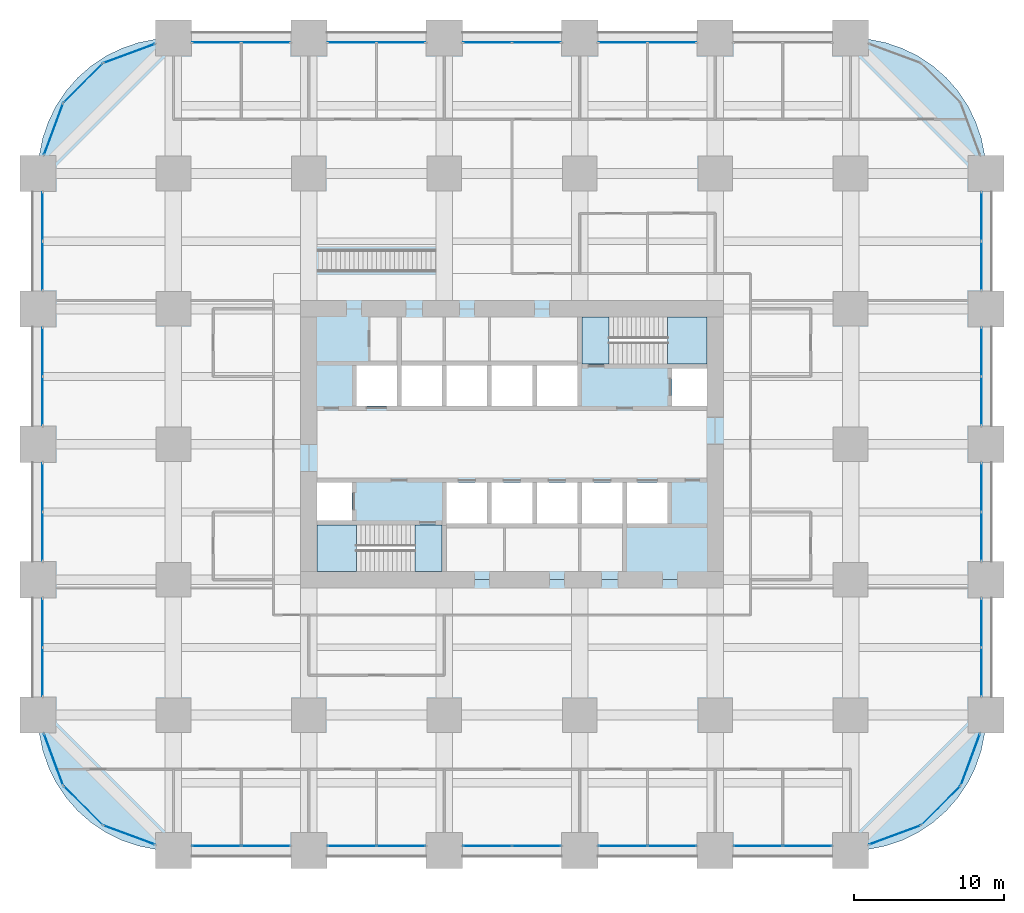
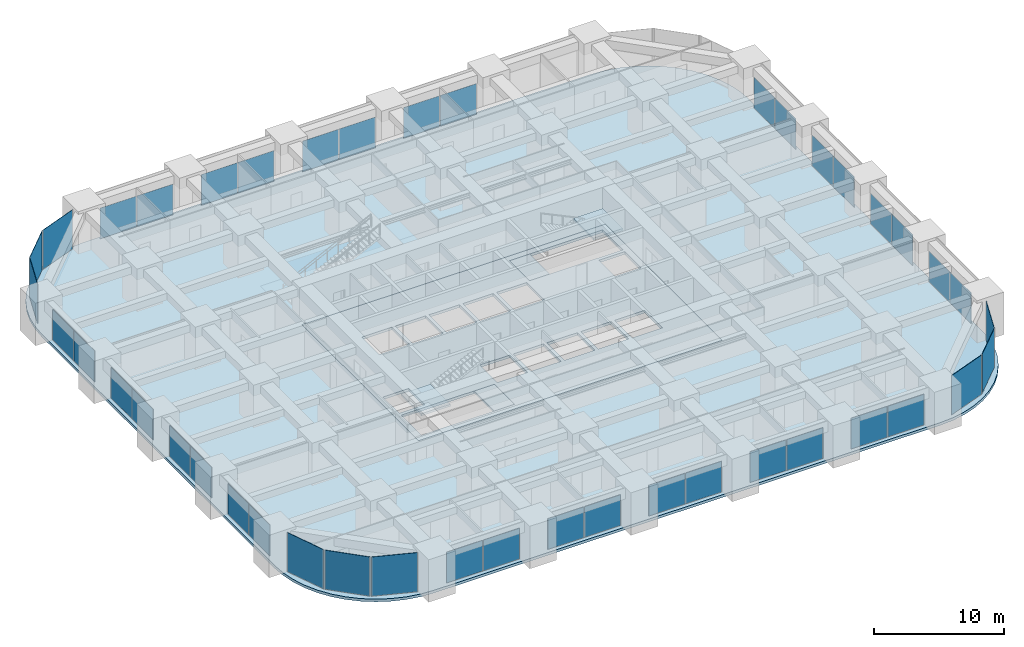
# One storey, part 38 of 45: 43 plates, 6 slabs, 28 elements without a shape of their own.
"""IFC4 building model written with IfcOpenShell, lengths in metres."""

from ifc_helpers import new_model, si_unit, direction, frame, origin, origin_2d, place, context, subcontext, project, spatial, polyline, rectangle, outline, extrude, material, layer, layer_set, type_object, element, aggregate, save


model = new_model("IFC4")

# Units and contexts
model_context = context("Model", 3, precision=1e-05, world=origin(), true_north=direction((0.0, 1.0)))
body_context = subcontext(model_context, "Body", "Model", "MODEL_VIEW")
ifc_project = project(units=[si_unit("LENGTHUNIT", "METRE"), si_unit("AREAUNIT", "SQUARE_METRE"), si_unit("VOLUMEUNIT", "CUBIC_METRE"), si_unit("PLANEANGLEUNIT", "RADIAN"), si_unit("MASSUNIT", "GRAM", prefix="KILO")], contexts=[model_context])

# Site, building, storey
site_placement = place(None, origin())
site = spatial("IfcSite", under=ifc_project, at=site_placement, CompositionType="ELEMENT")
building_placement = place(site_placement, origin())
building = spatial("IfcBuilding", under=site, at=building_placement, Name="Zorevar Civic Tower", CompositionType="ELEMENT")
storey_placement = place(building_placement, frame((0.0, 0.0, 39.800048828125)))
storey = spatial("IfcBuildingStorey", under=building, at=storey_placement, Name="L09", CompositionType="ELEMENT", Elevation=39.800048828125)

# Curtain wall, plates
ifc_material_1 = material(Name="Dark grey solar-control glass in black aluminium frame", Category="aluminium")
curtain_wall_type = type_object("IfcCurtainWallType", Name="Curtain wall CW2 low zone", PredefinedType="NOTDEFINED", material=ifc_material_1)
curtain_wall_1_placement = place(storey_placement, origin())
curtain_wall_1 = element("IfcCurtainWall", 1, at=curtain_wall_1_placement, inside=storey, type_object=curtain_wall_type, Name="CW2 L09", PredefinedType="NOTDEFINED")
ifc_material_2 = material(Name="Dark grey solar-control glass", Category="glass")
ifc_layer_1 = layer(ifc_material_2, 0.031982421875)
ifc_layer_set_1 = layer_set([ifc_layer_1], Name="CW2 panel 32")
plate_type = type_object("IfcPlateType", Name="CW2 panel 32", PredefinedType="CURTAIN_PANEL", material=ifc_layer_set_1)
plate_1_placement = place(storey_placement, frame((11.864990234375, 0.300048828125, 0.06005859375), z_axis=(0.0, 0.0, 1.0), x_axis=(1.0, 0.0, 0.0)))
plate_1 = element("IfcPlate", 2, at=plate_1_placement, type_object=plate_type, Name="CW2 panel 1.1", PredefinedType="CURTAIN_PANEL", context=body_context, shape_type="SweptSolid", body=[
    extrude(rectangle(XDim=3.2099609375, YDim=0.031982421875, at=origin_2d()), origin(), (0.0, 0.0, 1.0), 2.889892578125),
])
plate_2_placement = place(storey_placement, frame((15.135009765625, 0.300048828125, 0.06005859375), z_axis=(0.0, 0.0, 1.0), x_axis=(1.0, 0.0, 0.0)))
plate_2 = element("IfcPlate", 3, at=plate_2_placement, type_object=plate_type, Name="CW2 panel 2.1", PredefinedType="CURTAIN_PANEL", context=body_context, shape_type="SweptSolid", body=[
    extrude(rectangle(XDim=3.2099609375, YDim=0.031982421875, at=origin_2d()), origin(), (0.0, 0.0, 1.0), 2.889892578125),
])
aggregate(curtain_wall_1, [plate_1, plate_2])

curtain_wall_2_placement = place(storey_placement, origin())
curtain_wall_2 = element("IfcCurtainWall", 4, at=curtain_wall_2_placement, inside=storey, type_object=curtain_wall_type, Name="CW2 L09", PredefinedType="NOTDEFINED")
plate_3_placement = place(storey_placement, frame((11.864990234375, 53.699951171875, 0.06005859375), z_axis=(0.0, 0.0, 1.0), x_axis=(1.0, 0.0, 0.0)))
plate_3 = element("IfcPlate", 5, at=plate_3_placement, type_object=plate_type, Name="CW2 panel 1.1", PredefinedType="CURTAIN_PANEL", context=body_context, shape_type="SweptSolid", body=[
    extrude(rectangle(XDim=3.2099609375, YDim=0.031982421875, at=origin_2d()), origin(), (0.0, 0.0, 1.0), 2.889892578125),
])
plate_4_placement = place(storey_placement, frame((15.135009765625, 53.699951171875, 0.06005859375), z_axis=(0.0, 0.0, 1.0), x_axis=(1.0, 0.0, 0.0)))
plate_4 = element("IfcPlate", 6, at=plate_4_placement, type_object=plate_type, Name="CW2 panel 2.1", PredefinedType="CURTAIN_PANEL", context=body_context, shape_type="SweptSolid", body=[
    extrude(rectangle(XDim=3.2099609375, YDim=0.031982421875, at=origin_2d()), origin(), (0.0, 0.0, 1.0), 2.889892578125),
])
aggregate(curtain_wall_2, [plate_3, plate_4])

curtain_wall_3_placement = place(storey_placement, origin())
curtain_wall_3 = element("IfcCurtainWall", 7, at=curtain_wall_3_placement, inside=storey, type_object=curtain_wall_type, Name="CW2 L09", PredefinedType="NOTDEFINED")
plate_5_placement = place(storey_placement, frame((20.864990234375, 0.300048828125, 0.06005859375), z_axis=(0.0, 0.0, 1.0), x_axis=(1.0, 0.0, 0.0)))
plate_5 = element("IfcPlate", 8, at=plate_5_placement, type_object=plate_type, Name="CW2 panel 1.1", PredefinedType="CURTAIN_PANEL", context=body_context, shape_type="SweptSolid", body=[
    extrude(rectangle(XDim=3.2099609375, YDim=0.031982421875, at=origin_2d()), origin(), (0.0, 0.0, 1.0), 2.889892578125),
])
plate_6_placement = place(storey_placement, frame((24.135009765625, 0.300048828125, 0.06005859375), z_axis=(0.0, 0.0, 1.0), x_axis=(1.0, 0.0, 0.0)))
plate_6 = element("IfcPlate", 9, at=plate_6_placement, type_object=plate_type, Name="CW2 panel 2.1", PredefinedType="CURTAIN_PANEL", context=body_context, shape_type="SweptSolid", body=[
    extrude(rectangle(XDim=3.2099609375, YDim=0.031982421875, at=origin_2d()), origin(), (0.0, 0.0, 1.0), 2.889892578125),
])
aggregate(curtain_wall_3, [plate_5, plate_6])

curtain_wall_4_placement = place(storey_placement, origin())
curtain_wall_4 = element("IfcCurtainWall", 10, at=curtain_wall_4_placement, inside=storey, type_object=curtain_wall_type, Name="CW2 L09", PredefinedType="NOTDEFINED")
plate_7_placement = place(storey_placement, frame((20.864990234375, 53.699951171875, 0.06005859375), z_axis=(0.0, 0.0, 1.0), x_axis=(1.0, 0.0, 0.0)))
plate_7 = element("IfcPlate", 11, at=plate_7_placement, type_object=plate_type, Name="CW2 panel 1.1", PredefinedType="CURTAIN_PANEL", context=body_context, shape_type="SweptSolid", body=[
    extrude(rectangle(XDim=3.2099609375, YDim=0.031982421875, at=origin_2d()), origin(), (0.0, 0.0, 1.0), 2.889892578125),
])
plate_8_placement = place(storey_placement, frame((24.135009765625, 53.699951171875, 0.06005859375), z_axis=(0.0, 0.0, 1.0), x_axis=(1.0, 0.0, 0.0)))
plate_8 = element("IfcPlate", 12, at=plate_8_placement, type_object=plate_type, Name="CW2 panel 2.1", PredefinedType="CURTAIN_PANEL", context=body_context, shape_type="SweptSolid", body=[
    extrude(rectangle(XDim=3.2099609375, YDim=0.031982421875, at=origin_2d()), origin(), (0.0, 0.0, 1.0), 2.889892578125),
])
aggregate(curtain_wall_4, [plate_7, plate_8])

curtain_wall_5_placement = place(storey_placement, origin())
curtain_wall_5 = element("IfcCurtainWall", 13, at=curtain_wall_5_placement, inside=storey, type_object=curtain_wall_type, Name="CW2 L09", PredefinedType="NOTDEFINED")
plate_9_placement = place(storey_placement, frame((29.864990234375, 0.300048828125, 0.06005859375), z_axis=(0.0, 0.0, 1.0), x_axis=(1.0, 0.0, 0.0)))
plate_9 = element("IfcPlate", 14, at=plate_9_placement, type_object=plate_type, Name="CW2 panel 1.1", PredefinedType="CURTAIN_PANEL", context=body_context, shape_type="SweptSolid", body=[
    extrude(rectangle(XDim=3.2099609375, YDim=0.031982421875, at=origin_2d()), origin(), (0.0, 0.0, 1.0), 2.889892578125),
])
plate_10_placement = place(storey_placement, frame((33.135009765625, 0.300048828125, 0.06005859375), z_axis=(0.0, 0.0, 1.0), x_axis=(1.0, 0.0, 0.0)))
plate_10 = element("IfcPlate", 15, at=plate_10_placement, type_object=plate_type, Name="CW2 panel 2.1", PredefinedType="CURTAIN_PANEL", context=body_context, shape_type="SweptSolid", body=[
    extrude(rectangle(XDim=3.2099609375, YDim=0.031982421875, at=origin_2d()), origin(), (0.0, 0.0, 1.0), 2.889892578125),
])
aggregate(curtain_wall_5, [plate_9, plate_10])

curtain_wall_6_placement = place(storey_placement, origin())
curtain_wall_6 = element("IfcCurtainWall", 16, at=curtain_wall_6_placement, inside=storey, type_object=curtain_wall_type, Name="CW2 L09", PredefinedType="NOTDEFINED")
plate_11_placement = place(storey_placement, frame((29.864990234375, 53.699951171875, 0.06005859375), z_axis=(0.0, 0.0, 1.0), x_axis=(1.0, 0.0, 0.0)))
plate_11 = element("IfcPlate", 17, at=plate_11_placement, type_object=plate_type, Name="CW2 panel 1.1", PredefinedType="CURTAIN_PANEL", context=body_context, shape_type="SweptSolid", body=[
    extrude(rectangle(XDim=3.2099609375, YDim=0.031982421875, at=origin_2d()), origin(), (0.0, 0.0, 1.0), 2.889892578125),
])
plate_12_placement = place(storey_placement, frame((33.135009765625, 53.699951171875, 0.06005859375), z_axis=(0.0, 0.0, 1.0), x_axis=(1.0, 0.0, 0.0)))
plate_12 = element("IfcPlate", 18, at=plate_12_placement, type_object=plate_type, Name="CW2 panel 2.1", PredefinedType="CURTAIN_PANEL", context=body_context, shape_type="SweptSolid", body=[
    extrude(rectangle(XDim=3.2099609375, YDim=0.031982421875, at=origin_2d()), origin(), (0.0, 0.0, 1.0), 2.889892578125),
])
aggregate(curtain_wall_6, [plate_11, plate_12])

curtain_wall_7_placement = place(storey_placement, origin())
curtain_wall_7 = element("IfcCurtainWall", 19, at=curtain_wall_7_placement, inside=storey, type_object=curtain_wall_type, Name="CW2 L09", PredefinedType="NOTDEFINED")
plate_13_placement = place(storey_placement, frame((38.864990234375, 0.300048828125, 0.06005859375), z_axis=(0.0, 0.0, 1.0), x_axis=(1.0, 0.0, 0.0)))
plate_13 = element("IfcPlate", 20, at=plate_13_placement, type_object=plate_type, Name="CW2 panel 1.1", PredefinedType="CURTAIN_PANEL", context=body_context, shape_type="SweptSolid", body=[
    extrude(rectangle(XDim=3.2099609375, YDim=0.031982421875, at=origin_2d()), origin(), (0.0, 0.0, 1.0), 2.889892578125),
])
plate_14_placement = place(storey_placement, frame((42.135009765625, 0.300048828125, 0.06005859375), z_axis=(0.0, 0.0, 1.0), x_axis=(1.0, 0.0, 0.0)))
plate_14 = element("IfcPlate", 21, at=plate_14_placement, type_object=plate_type, Name="CW2 panel 2.1", PredefinedType="CURTAIN_PANEL", context=body_context, shape_type="SweptSolid", body=[
    extrude(rectangle(XDim=3.2099609375, YDim=0.031982421875, at=origin_2d()), origin(), (0.0, 0.0, 1.0), 2.889892578125),
])
aggregate(curtain_wall_7, [plate_13, plate_14])

curtain_wall_8_placement = place(storey_placement, origin())
curtain_wall_8 = element("IfcCurtainWall", 22, at=curtain_wall_8_placement, inside=storey, type_object=curtain_wall_type, Name="CW2 L09", PredefinedType="NOTDEFINED")
plate_15_placement = place(storey_placement, frame((38.864990234375, 53.699951171875, 0.06005859375), z_axis=(0.0, 0.0, 1.0), x_axis=(1.0, 0.0, 0.0)))
plate_15 = element("IfcPlate", 23, at=plate_15_placement, type_object=plate_type, Name="CW2 panel 1.1", PredefinedType="CURTAIN_PANEL", context=body_context, shape_type="SweptSolid", body=[
    extrude(rectangle(XDim=3.2099609375, YDim=0.031982421875, at=origin_2d()), origin(), (0.0, 0.0, 1.0), 2.889892578125),
])
plate_16_placement = place(storey_placement, frame((42.135009765625, 53.699951171875, 0.06005859375), z_axis=(0.0, 0.0, 1.0), x_axis=(1.0, 0.0, 0.0)))
plate_16 = element("IfcPlate", 24, at=plate_16_placement, type_object=plate_type, Name="CW2 panel 2.1", PredefinedType="CURTAIN_PANEL", context=body_context, shape_type="SweptSolid", body=[
    extrude(rectangle(XDim=3.2099609375, YDim=0.031982421875, at=origin_2d()), origin(), (0.0, 0.0, 1.0), 2.889892578125),
])
aggregate(curtain_wall_8, [plate_15, plate_16])

curtain_wall_9_placement = place(storey_placement, origin())
curtain_wall_9 = element("IfcCurtainWall", 25, at=curtain_wall_9_placement, inside=storey, type_object=curtain_wall_type, Name="CW2 L09", PredefinedType="NOTDEFINED")
plate_17_placement = place(storey_placement, frame((47.864990234375, 0.300048828125, 0.06005859375), z_axis=(0.0, 0.0, 1.0), x_axis=(1.0, 0.0, 0.0)))
plate_17 = element("IfcPlate", 26, at=plate_17_placement, type_object=plate_type, Name="CW2 panel 1.1", PredefinedType="CURTAIN_PANEL", context=body_context, shape_type="SweptSolid", body=[
    extrude(rectangle(XDim=3.2099609375, YDim=0.031982421875, at=origin_2d()), origin(), (0.0, 0.0, 1.0), 2.889892578125),
])
plate_18_placement = place(storey_placement, frame((51.135009765625, 0.300048828125, 0.06005859375), z_axis=(0.0, 0.0, 1.0), x_axis=(1.0, 0.0, 0.0)))
plate_18 = element("IfcPlate", 27, at=plate_18_placement, type_object=plate_type, Name="CW2 panel 2.1", PredefinedType="CURTAIN_PANEL", context=body_context, shape_type="SweptSolid", body=[
    extrude(rectangle(XDim=3.2099609375, YDim=0.031982421875, at=origin_2d()), origin(), (0.0, 0.0, 1.0), 2.889892578125),
])
aggregate(curtain_wall_9, [plate_17, plate_18])

curtain_wall_10_placement = place(storey_placement, origin())
curtain_wall_10 = element("IfcCurtainWall", 28, at=curtain_wall_10_placement, inside=storey, type_object=curtain_wall_type, Name="CW2 L09", PredefinedType="NOTDEFINED")
plate_19_placement = place(storey_placement, frame((0.300048828125, 11.864990234375, 0.06005859375), z_axis=(0.0, 0.0, 1.0), x_axis=(0.0, 1.0, 0.0)))
plate_19 = element("IfcPlate", 29, at=plate_19_placement, type_object=plate_type, Name="CW2 panel 1.1", PredefinedType="CURTAIN_PANEL", context=body_context, shape_type="SweptSolid", body=[
    extrude(rectangle(XDim=3.2099609375, YDim=0.031982421875, at=origin_2d()), origin(), (0.0, 0.0, 1.0), 2.889892578125),
])
plate_20_placement = place(storey_placement, frame((0.300048828125, 15.135009765625, 0.06005859375), z_axis=(0.0, 0.0, 1.0), x_axis=(0.0, 1.0, 0.0)))
plate_20 = element("IfcPlate", 30, at=plate_20_placement, type_object=plate_type, Name="CW2 panel 2.1", PredefinedType="CURTAIN_PANEL", context=body_context, shape_type="SweptSolid", body=[
    extrude(rectangle(XDim=3.2099609375, YDim=0.031982421875, at=origin_2d()), origin(), (0.0, 0.0, 1.0), 2.889892578125),
])
aggregate(curtain_wall_10, [plate_19, plate_20])

curtain_wall_11_placement = place(storey_placement, origin())
curtain_wall_11 = element("IfcCurtainWall", 31, at=curtain_wall_11_placement, inside=storey, type_object=curtain_wall_type, Name="CW2 L09", PredefinedType="NOTDEFINED")
plate_21_placement = place(storey_placement, frame((62.699951171875, 11.864990234375, 0.06005859375), z_axis=(0.0, 0.0, 1.0), x_axis=(0.0, 1.0, 0.0)))
plate_21 = element("IfcPlate", 32, at=plate_21_placement, type_object=plate_type, Name="CW2 panel 1.1", PredefinedType="CURTAIN_PANEL", context=body_context, shape_type="SweptSolid", body=[
    extrude(rectangle(XDim=3.2099609375, YDim=0.031982421875, at=origin_2d()), origin(), (0.0, 0.0, 1.0), 2.889892578125),
])
plate_22_placement = place(storey_placement, frame((62.699951171875, 15.135009765625, 0.06005859375), z_axis=(0.0, 0.0, 1.0), x_axis=(0.0, 1.0, 0.0)))
plate_22 = element("IfcPlate", 33, at=plate_22_placement, type_object=plate_type, Name="CW2 panel 2.1", PredefinedType="CURTAIN_PANEL", context=body_context, shape_type="SweptSolid", body=[
    extrude(rectangle(XDim=3.2099609375, YDim=0.031982421875, at=origin_2d()), origin(), (0.0, 0.0, 1.0), 2.889892578125),
])
aggregate(curtain_wall_11, [plate_21, plate_22])

curtain_wall_12_placement = place(storey_placement, origin())
curtain_wall_12 = element("IfcCurtainWall", 34, at=curtain_wall_12_placement, inside=storey, type_object=curtain_wall_type, Name="CW2 L09", PredefinedType="NOTDEFINED")
plate_23_placement = place(storey_placement, frame((0.300048828125, 20.864990234375, 0.06005859375), z_axis=(0.0, 0.0, 1.0), x_axis=(0.0, 1.0, 0.0)))
plate_23 = element("IfcPlate", 35, at=plate_23_placement, type_object=plate_type, Name="CW2 panel 1.1", PredefinedType="CURTAIN_PANEL", context=body_context, shape_type="SweptSolid", body=[
    extrude(rectangle(XDim=3.2099609375, YDim=0.031982421875, at=origin_2d()), origin(), (0.0, 0.0, 1.0), 2.889892578125),
])
plate_24_placement = place(storey_placement, frame((0.300048828125, 24.135009765625, 0.06005859375), z_axis=(0.0, 0.0, 1.0), x_axis=(0.0, 1.0, 0.0)))
plate_24 = element("IfcPlate", 36, at=plate_24_placement, type_object=plate_type, Name="CW2 panel 2.1", PredefinedType="CURTAIN_PANEL", context=body_context, shape_type="SweptSolid", body=[
    extrude(rectangle(XDim=3.2099609375, YDim=0.031982421875, at=origin_2d()), origin(), (0.0, 0.0, 1.0), 2.889892578125),
])
aggregate(curtain_wall_12, [plate_23, plate_24])

curtain_wall_13_placement = place(storey_placement, origin())
curtain_wall_13 = element("IfcCurtainWall", 37, at=curtain_wall_13_placement, inside=storey, type_object=curtain_wall_type, Name="CW2 L09", PredefinedType="NOTDEFINED")
plate_25_placement = place(storey_placement, frame((62.699951171875, 20.864990234375, 0.06005859375), z_axis=(0.0, 0.0, 1.0), x_axis=(0.0, 1.0, 0.0)))
plate_25 = element("IfcPlate", 38, at=plate_25_placement, type_object=plate_type, Name="CW2 panel 1.1", PredefinedType="CURTAIN_PANEL", context=body_context, shape_type="SweptSolid", body=[
    extrude(rectangle(XDim=3.2099609375, YDim=0.031982421875, at=origin_2d()), origin(), (0.0, 0.0, 1.0), 2.889892578125),
])
plate_26_placement = place(storey_placement, frame((62.699951171875, 24.135009765625, 0.06005859375), z_axis=(0.0, 0.0, 1.0), x_axis=(0.0, 1.0, 0.0)))
plate_26 = element("IfcPlate", 39, at=plate_26_placement, type_object=plate_type, Name="CW2 panel 2.1", PredefinedType="CURTAIN_PANEL", context=body_context, shape_type="SweptSolid", body=[
    extrude(rectangle(XDim=3.2099609375, YDim=0.031982421875, at=origin_2d()), origin(), (0.0, 0.0, 1.0), 2.889892578125),
])
aggregate(curtain_wall_13, [plate_25, plate_26])

curtain_wall_14_placement = place(storey_placement, origin())
curtain_wall_14 = element("IfcCurtainWall", 40, at=curtain_wall_14_placement, inside=storey, type_object=curtain_wall_type, Name="CW2 L09", PredefinedType="NOTDEFINED")
plate_27_placement = place(storey_placement, frame((0.300048828125, 29.864990234375, 0.06005859375), z_axis=(0.0, 0.0, 1.0), x_axis=(0.0, 1.0, 0.0)))
plate_27 = element("IfcPlate", 41, at=plate_27_placement, type_object=plate_type, Name="CW2 panel 1.1", PredefinedType="CURTAIN_PANEL", context=body_context, shape_type="SweptSolid", body=[
    extrude(rectangle(XDim=3.2099609375, YDim=0.031982421875, at=origin_2d()), origin(), (0.0, 0.0, 1.0), 2.889892578125),
])
plate_28_placement = place(storey_placement, frame((0.300048828125, 33.135009765625, 0.06005859375), z_axis=(0.0, 0.0, 1.0), x_axis=(0.0, 1.0, 0.0)))
plate_28 = element("IfcPlate", 42, at=plate_28_placement, type_object=plate_type, Name="CW2 panel 2.1", PredefinedType="CURTAIN_PANEL", context=body_context, shape_type="SweptSolid", body=[
    extrude(rectangle(XDim=3.2099609375, YDim=0.031982421875, at=origin_2d()), origin(), (0.0, 0.0, 1.0), 2.889892578125),
])
aggregate(curtain_wall_14, [plate_27, plate_28])

curtain_wall_15_placement = place(storey_placement, origin())
curtain_wall_15 = element("IfcCurtainWall", 43, at=curtain_wall_15_placement, inside=storey, type_object=curtain_wall_type, Name="CW2 L09", PredefinedType="NOTDEFINED")
plate_29_placement = place(storey_placement, frame((62.699951171875, 29.864990234375, 0.06005859375), z_axis=(0.0, 0.0, 1.0), x_axis=(0.0, 1.0, 0.0)))
plate_29 = element("IfcPlate", 44, at=plate_29_placement, type_object=plate_type, Name="CW2 panel 1.1", PredefinedType="CURTAIN_PANEL", context=body_context, shape_type="SweptSolid", body=[
    extrude(rectangle(XDim=3.2099609375, YDim=0.031982421875, at=origin_2d()), origin(), (0.0, 0.0, 1.0), 2.889892578125),
])
plate_30_placement = place(storey_placement, frame((62.699951171875, 33.135009765625, 0.06005859375), z_axis=(0.0, 0.0, 1.0), x_axis=(0.0, 1.0, 0.0)))
plate_30 = element("IfcPlate", 45, at=plate_30_placement, type_object=plate_type, Name="CW2 panel 2.1", PredefinedType="CURTAIN_PANEL", context=body_context, shape_type="SweptSolid", body=[
    extrude(rectangle(XDim=3.2099609375, YDim=0.031982421875, at=origin_2d()), origin(), (0.0, 0.0, 1.0), 2.889892578125),
])
aggregate(curtain_wall_15, [plate_29, plate_30])

curtain_wall_16_placement = place(storey_placement, origin())
curtain_wall_16 = element("IfcCurtainWall", 46, at=curtain_wall_16_placement, inside=storey, type_object=curtain_wall_type, Name="CW2 L09", PredefinedType="NOTDEFINED")
plate_31_placement = place(storey_placement, frame((0.300048828125, 38.864990234375, 0.06005859375), z_axis=(0.0, 0.0, 1.0), x_axis=(0.0, 1.0, 0.0)))
plate_31 = element("IfcPlate", 47, at=plate_31_placement, type_object=plate_type, Name="CW2 panel 1.1", PredefinedType="CURTAIN_PANEL", context=body_context, shape_type="SweptSolid", body=[
    extrude(rectangle(XDim=3.2099609375, YDim=0.031982421875, at=origin_2d()), origin(), (0.0, 0.0, 1.0), 2.889892578125),
])
plate_32_placement = place(storey_placement, frame((0.300048828125, 42.135009765625, 0.06005859375), z_axis=(0.0, 0.0, 1.0), x_axis=(0.0, 1.0, 0.0)))
plate_32 = element("IfcPlate", 48, at=plate_32_placement, type_object=plate_type, Name="CW2 panel 2.1", PredefinedType="CURTAIN_PANEL", context=body_context, shape_type="SweptSolid", body=[
    extrude(rectangle(XDim=3.2099609375, YDim=0.031982421875, at=origin_2d()), origin(), (0.0, 0.0, 1.0), 2.889892578125),
])
aggregate(curtain_wall_16, [plate_31, plate_32])

curtain_wall_17_placement = place(storey_placement, origin())
curtain_wall_17 = element("IfcCurtainWall", 49, at=curtain_wall_17_placement, inside=storey, type_object=curtain_wall_type, Name="CW2 L09", PredefinedType="NOTDEFINED")
plate_33_placement = place(storey_placement, frame((62.699951171875, 38.864990234375, 0.06005859375), z_axis=(0.0, 0.0, 1.0), x_axis=(0.0, 1.0, 0.0)))
plate_33 = element("IfcPlate", 50, at=plate_33_placement, type_object=plate_type, Name="CW2 panel 1.1", PredefinedType="CURTAIN_PANEL", context=body_context, shape_type="SweptSolid", body=[
    extrude(rectangle(XDim=3.2099609375, YDim=0.031982421875, at=origin_2d()), origin(), (0.0, 0.0, 1.0), 2.889892578125),
])
plate_34_placement = place(storey_placement, frame((62.699951171875, 42.135009765625, 0.06005859375), z_axis=(0.0, 0.0, 1.0), x_axis=(0.0, 1.0, 0.0)))
plate_34 = element("IfcPlate", 51, at=plate_34_placement, type_object=plate_type, Name="CW2 panel 2.1", PredefinedType="CURTAIN_PANEL", context=body_context, shape_type="SweptSolid", body=[
    extrude(rectangle(XDim=3.2099609375, YDim=0.031982421875, at=origin_2d()), origin(), (0.0, 0.0, 1.0), 2.889892578125),
])
aggregate(curtain_wall_17, [plate_33, plate_34])

# Curtain wall, plate
curtain_wall_18_placement = place(storey_placement, origin())
curtain_wall_18 = element("IfcCurtainWall", 52, at=curtain_wall_18_placement, inside=storey, type_object=curtain_wall_type, Name="CW2 L09", PredefinedType="NOTDEFINED")
plate_35_placement = place(storey_placement, frame((56.9462890625, 1.02880859375, 0.06005859375), z_axis=(0.0, 0.0, 1.0), x_axis=(0.937974588163, 0.346704012033, 0.0)))
plate_35 = element("IfcPlate", 53, at=plate_35_placement, type_object=plate_type, Name="CW2 panel 1.1", PredefinedType="CURTAIN_PANEL", context=body_context, shape_type="SweptSolid", body=[
    extrude(rectangle(XDim=3.603759765625, YDim=0.031982421875, at=origin_2d()), origin(), (0.0, 0.0, 1.0), 3.68994140625),
])
aggregate(curtain_wall_18, [plate_35])

curtain_wall_19_placement = place(storey_placement, origin())
curtain_wall_19 = element("IfcCurtainWall", 54, at=curtain_wall_19_placement, inside=storey, type_object=curtain_wall_type, Name="CW2 L09", PredefinedType="NOTDEFINED")
plate_36_placement = place(storey_placement, frame((60.00927734375, 2.99072265625, 0.06005859375), z_axis=(0.0, 0.0, 1.0), x_axis=(0.707106781187, 0.707106781187, 0.0)))
plate_36 = element("IfcPlate", 55, at=plate_36_placement, type_object=plate_type, Name="CW2 panel 1.1", PredefinedType="CURTAIN_PANEL", context=body_context, shape_type="SweptSolid", body=[
    extrude(rectangle(XDim=3.603759765625, YDim=0.031982421875, at=origin_2d()), origin(), (0.0, 0.0, 1.0), 3.68994140625),
])
aggregate(curtain_wall_19, [plate_36])

curtain_wall_20_placement = place(storey_placement, origin())
curtain_wall_20 = element("IfcCurtainWall", 56, at=curtain_wall_20_placement, inside=storey, type_object=curtain_wall_type, Name="CW2 L09", PredefinedType="NOTDEFINED")
plate_37_placement = place(storey_placement, frame((61.97119140625, 6.0537109375, 0.06005859375), z_axis=(0.0, 0.0, 1.0), x_axis=(0.346704012033, 0.937974588163, 0.0)))
plate_37 = element("IfcPlate", 57, at=plate_37_placement, type_object=plate_type, Name="CW2 panel 1.1", PredefinedType="CURTAIN_PANEL", context=body_context, shape_type="SweptSolid", body=[
    extrude(rectangle(XDim=3.603759765625, YDim=0.031982421875, at=origin_2d()), origin(), (0.0, 0.0, 1.0), 3.68994140625),
])
aggregate(curtain_wall_20, [plate_37])

curtain_wall_21_placement = place(storey_placement, origin())
curtain_wall_21 = element("IfcCurtainWall", 58, at=curtain_wall_21_placement, inside=storey, type_object=curtain_wall_type, Name="CW2 L09", PredefinedType="NOTDEFINED")
plate_38_placement = place(storey_placement, frame((6.0537109375, 52.97119140625, 0.06005859375), z_axis=(0.0, 0.0, 1.0), x_axis=(-0.937974588163, -0.346704012033, 0.0)))
plate_38 = element("IfcPlate", 59, at=plate_38_placement, type_object=plate_type, Name="CW2 panel 1.1", PredefinedType="CURTAIN_PANEL", context=body_context, shape_type="SweptSolid", body=[
    extrude(rectangle(XDim=3.603759765625, YDim=0.031982421875, at=origin_2d()), origin(), (0.0, 0.0, 1.0), 3.68994140625),
])
aggregate(curtain_wall_21, [plate_38])

curtain_wall_22_placement = place(storey_placement, origin())
curtain_wall_22 = element("IfcCurtainWall", 60, at=curtain_wall_22_placement, inside=storey, type_object=curtain_wall_type, Name="CW2 L09", PredefinedType="NOTDEFINED")
plate_39_placement = place(storey_placement, frame((2.99072265625, 51.00927734375, 0.06005859375), z_axis=(0.0, 0.0, 1.0), x_axis=(-0.707106781187, -0.707106781187, 0.0)))
plate_39 = element("IfcPlate", 61, at=plate_39_placement, type_object=plate_type, Name="CW2 panel 1.1", PredefinedType="CURTAIN_PANEL", context=body_context, shape_type="SweptSolid", body=[
    extrude(rectangle(XDim=3.603759765625, YDim=0.031982421875, at=origin_2d()), origin(), (0.0, 0.0, 1.0), 3.68994140625),
])
aggregate(curtain_wall_22, [plate_39])

curtain_wall_23_placement = place(storey_placement, origin())
curtain_wall_23 = element("IfcCurtainWall", 62, at=curtain_wall_23_placement, inside=storey, type_object=curtain_wall_type, Name="CW2 L09", PredefinedType="NOTDEFINED")
plate_40_placement = place(storey_placement, frame((1.02880859375, 47.9462890625, 0.06005859375), z_axis=(0.0, 0.0, 1.0), x_axis=(-0.346704012033, -0.937974588163, 0.0)))
plate_40 = element("IfcPlate", 63, at=plate_40_placement, type_object=plate_type, Name="CW2 panel 1.1", PredefinedType="CURTAIN_PANEL", context=body_context, shape_type="SweptSolid", body=[
    extrude(rectangle(XDim=3.603759765625, YDim=0.031982421875, at=origin_2d()), origin(), (0.0, 0.0, 1.0), 3.68994140625),
])
aggregate(curtain_wall_23, [plate_40])

curtain_wall_24_placement = place(storey_placement, origin())
curtain_wall_24 = element("IfcCurtainWall", 64, at=curtain_wall_24_placement, inside=storey, type_object=curtain_wall_type, Name="CW2 L09", PredefinedType="NOTDEFINED")
plate_41_placement = place(storey_placement, frame((1.02880859375, 6.0537109375, 0.06005859375), z_axis=(0.0, 0.0, 1.0), x_axis=(0.346704012033, -0.937974588163, 0.0)))
plate_41 = element("IfcPlate", 65, at=plate_41_placement, type_object=plate_type, Name="CW2 panel 1.1", PredefinedType="CURTAIN_PANEL", context=body_context, shape_type="SweptSolid", body=[
    extrude(rectangle(XDim=3.603759765625, YDim=0.031982421875, at=origin_2d()), origin(), (0.0, 0.0, 1.0), 3.68994140625),
])
aggregate(curtain_wall_24, [plate_41])

curtain_wall_25_placement = place(storey_placement, origin())
curtain_wall_25 = element("IfcCurtainWall", 66, at=curtain_wall_25_placement, inside=storey, type_object=curtain_wall_type, Name="CW2 L09", PredefinedType="NOTDEFINED")
plate_42_placement = place(storey_placement, frame((2.99072265625, 2.99072265625, 0.06005859375), z_axis=(0.0, 0.0, 1.0), x_axis=(0.707106781187, -0.707106781187, 0.0)))
plate_42 = element("IfcPlate", 67, at=plate_42_placement, type_object=plate_type, Name="CW2 panel 1.1", PredefinedType="CURTAIN_PANEL", context=body_context, shape_type="SweptSolid", body=[
    extrude(rectangle(XDim=3.603759765625, YDim=0.031982421875, at=origin_2d()), origin(), (0.0, 0.0, 1.0), 3.68994140625),
])
aggregate(curtain_wall_25, [plate_42])

curtain_wall_26_placement = place(storey_placement, origin())
curtain_wall_26 = element("IfcCurtainWall", 68, at=curtain_wall_26_placement, inside=storey, type_object=curtain_wall_type, Name="CW2 L09", PredefinedType="NOTDEFINED")
plate_43_placement = place(storey_placement, frame((6.0537109375, 1.02880859375, 0.06005859375), z_axis=(0.0, 0.0, 1.0), x_axis=(0.937974588163, -0.346704012033, 0.0)))
plate_43 = element("IfcPlate", 69, at=plate_43_placement, type_object=plate_type, Name="CW2 panel 1.1", PredefinedType="CURTAIN_PANEL", context=body_context, shape_type="SweptSolid", body=[
    extrude(rectangle(XDim=3.603759765625, YDim=0.031982421875, at=origin_2d()), origin(), (0.0, 0.0, 1.0), 3.68994140625),
])
aggregate(curtain_wall_26, [plate_43])

# Slabs
ifc_material_3 = material(Name="Concrete C40/50", Category="concrete")
ifc_layer_2 = layer(ifc_material_3, 0.25)
ifc_layer_set_2 = layer_set([ifc_layer_2], Name="Floor slab 250")
slab_type_1 = type_object("IfcSlabType", Name="Floor slab 250", PredefinedType="FLOOR", material=ifc_layer_set_2)
slab_1_placement = place(storey_placement, frame((0.0, 0.0, -0.25)))
element("IfcSlab", 70, at=slab_1_placement, inside=storey, type_object=slab_type_1, Name="Floor slab L09", PredefinedType="FLOOR", context=body_context, shape_type="SweptSolid", body=[
    extrude(outline(polyline([(54.0, 0.0), (55.1748046875, 0.076904296875), (56.329345703125, 0.306640625), (57.444091796875, 0.68505859375), (58.5, 1.205810546875), (59.478759765625, 1.85986328125), (60.364013671875, 2.635986328125), (61.14013671875, 3.521240234375), (61.794189453125, 4.5), (62.31494140625, 5.555908203125), (62.693359375, 6.670654296875), (62.923095703125, 7.8251953125), (63.0, 9.0), (63.0, 45.0), (62.923095703125, 46.1748046875), (62.693359375, 47.329345703125), (62.31494140625, 48.444091796875), (61.794189453125, 49.5), (61.14013671875, 50.478759765625), (60.364013671875, 51.364013671875), (59.478759765625, 52.14013671875), (58.5, 52.794189453125), (57.444091796875, 53.31494140625), (56.329345703125, 53.693359375), (55.1748046875, 53.923095703125), (54.0, 54.0), (9.0, 54.0), (7.8251953125, 53.923095703125), (6.670654296875, 53.693359375), (5.555908203125, 53.31494140625), (4.5, 52.794189453125), (3.521240234375, 52.14013671875), (2.635986328125, 51.364013671875), (1.85986328125, 50.478759765625), (1.205810546875, 49.5), (0.68505859375, 48.444091796875), (0.306640625, 47.329345703125), (0.076904296875, 46.1748046875), (0.0, 45.0), (0.0, 9.0), (0.076904296875, 7.8251953125), (0.306640625, 6.670654296875), (0.68505859375, 5.555908203125), (1.205810546875, 4.5), (1.85986328125, 3.521240234375), (2.635986328125, 2.635986328125), (3.521240234375, 1.85986328125), (4.5, 1.205810546875), (5.555908203125, 0.68505859375), (6.670654296875, 0.306640625), (7.8251953125, 0.076904296875), (9.0, 0.0), (54.0, 0.0)]), holes=[polyline([(18.0, 18.0), (45.0, 18.0), (45.0, 36.0), (18.0, 36.0), (18.0, 18.0)])]), origin(), (0.0, 0.0, 1.0), 0.25),
])
slab_2_placement = place(storey_placement, frame((0.0, 0.0, -0.25)))
element("IfcSlab", 71, at=slab_2_placement, inside=storey, type_object=slab_type_1, Name="Core floor L09", PredefinedType="FLOOR", context=body_context, shape_type="SweptSolid", body=[
    extrude(outline(polyline([(18.0, 18.0), (45.0, 18.0), (45.0, 36.0), (18.0, 36.0), (18.0, 18.0)]), holes=[polyline([(18.550048828125, 18.550048828125), (26.85009765625, 18.550048828125), (26.85009765625, 21.64990234375), (18.550048828125, 21.64990234375), (18.550048828125, 18.550048828125)]), polyline([(36.14990234375, 32.35009765625), (44.449951171875, 32.35009765625), (44.449951171875, 35.449951171875), (36.14990234375, 35.449951171875), (36.14990234375, 32.35009765625)]), polyline([(18.550048828125, 21.949951171875), (20.85009765625, 21.949951171875), (20.85009765625, 24.449951171875), (18.550048828125, 24.449951171875), (18.550048828125, 21.949951171875)]), polyline([(42.14990234375, 29.550048828125), (44.449951171875, 29.550048828125), (44.449951171875, 32.050048828125), (42.14990234375, 32.050048828125), (42.14990234375, 29.550048828125)]), polyline([(27.14990234375, 21.75), (29.85009765625, 21.75), (29.85009765625, 24.449951171875), (27.14990234375, 24.449951171875), (27.14990234375, 21.75)]), polyline([(33.14990234375, 29.550048828125), (35.85009765625, 29.550048828125), (35.85009765625, 32.25), (33.14990234375, 32.25), (33.14990234375, 29.550048828125)]), polyline([(30.14990234375, 21.75), (32.85009765625, 21.75), (32.85009765625, 24.449951171875), (30.14990234375, 24.449951171875), (30.14990234375, 21.75)]), polyline([(30.14990234375, 29.550048828125), (32.85009765625, 29.550048828125), (32.85009765625, 32.25), (30.14990234375, 32.25), (30.14990234375, 29.550048828125)]), polyline([(33.14990234375, 21.75), (35.85009765625, 21.75), (35.85009765625, 24.449951171875), (33.14990234375, 24.449951171875), (33.14990234375, 21.75)]), polyline([(27.14990234375, 29.550048828125), (29.85009765625, 29.550048828125), (29.85009765625, 32.25), (27.14990234375, 32.25), (27.14990234375, 29.550048828125)]), polyline([(36.14990234375, 21.75), (38.85009765625, 21.75), (38.85009765625, 24.449951171875), (36.14990234375, 24.449951171875), (36.14990234375, 21.75)]), polyline([(24.14990234375, 29.550048828125), (26.85009765625, 29.550048828125), (26.85009765625, 32.25), (24.14990234375, 32.25), (24.14990234375, 29.550048828125)]), polyline([(39.14990234375, 21.75), (41.85009765625, 21.75), (41.85009765625, 24.449951171875), (39.14990234375, 24.449951171875), (39.14990234375, 21.75)]), polyline([(21.14990234375, 29.550048828125), (23.85009765625, 29.550048828125), (23.85009765625, 32.25), (21.14990234375, 32.25), (21.14990234375, 29.550048828125)])]), origin(), (0.0, 0.0, 1.0), 0.25),
])

# Stair, slabs
ifc_material_4 = material(Name="Precast concrete C40/50", Category="concrete")
stair_type = type_object("IfcStairType", Name="Stair ST 28R", PredefinedType="HALF_TURN_STAIR", material=ifc_material_4)
stair_1_placement = place(storey_placement, origin())
stair_1 = element("IfcStair", 72, at=stair_1_placement, inside=storey, type_object=stair_type, Name="Stair ST1 L09", PredefinedType="HALF_TURN_STAIR")
ifc_material_5 = material(Name="Concrete C40/50", Category="concrete")
ifc_layer_3 = layer(ifc_material_5, 0.199951171875)
ifc_layer_set_3 = layer_set([ifc_layer_3], Name="Stair landing 200")
slab_type_2 = type_object("IfcSlabType", Name="Stair landing 200", PredefinedType="LANDING", material=ifc_layer_set_3)
slab_3_placement = place(storey_placement, frame((0.0, 0.0, -0.199951171875)))
slab_3 = element("IfcSlab", 73, at=slab_3_placement, type_object=slab_type_2, Name="ST1 landing 1", PredefinedType="LANDING", context=body_context, shape_type="SweptSolid", body=[
    extrude(outline(polyline([(25.050048828125, 18.550048828125), (26.85009765625, 18.550048828125), (26.85009765625, 21.64990234375), (25.050048828125, 21.64990234375), (25.050048828125, 18.550048828125)])), origin(), (0.0, 0.0, 1.0), 0.199951171875),
])
slab_4_placement = place(storey_placement, frame((0.0, 0.0, 1.800048828125)))
slab_4 = element("IfcSlab", 74, at=slab_4_placement, type_object=slab_type_2, Name="ST1 landing 2", PredefinedType="LANDING", context=body_context, shape_type="SweptSolid", body=[
    extrude(outline(polyline([(18.550048828125, 18.550048828125), (21.14990234375, 18.550048828125), (21.14990234375, 21.64990234375), (18.550048828125, 21.64990234375), (18.550048828125, 18.550048828125)])), origin(), (0.0, 0.0, 1.0), 0.199951171875),
])
aggregate(stair_1, [slab_3, slab_4])

stair_2_placement = place(storey_placement, origin())
stair_2 = element("IfcStair", 75, at=stair_2_placement, inside=storey, type_object=stair_type, Name="Stair ST2 L09", PredefinedType="HALF_TURN_STAIR")
slab_5_placement = place(storey_placement, frame((0.0, 0.0, -0.199951171875)))
slab_5 = element("IfcSlab", 76, at=slab_5_placement, type_object=slab_type_2, Name="ST2 landing 1", PredefinedType="LANDING", context=body_context, shape_type="SweptSolid", body=[
    extrude(outline(polyline([(37.949951171875, 32.35009765625), (36.14990234375, 32.35009765625), (36.14990234375, 35.449951171875), (37.949951171875, 35.449951171875), (37.949951171875, 32.35009765625)])), origin(), (0.0, 0.0, 1.0), 0.199951171875),
])
slab_6_placement = place(storey_placement, frame((0.0, 0.0, 1.800048828125)))
slab_6 = element("IfcSlab", 77, at=slab_6_placement, type_object=slab_type_2, Name="ST2 landing 2", PredefinedType="LANDING", context=body_context, shape_type="SweptSolid", body=[
    extrude(outline(polyline([(44.449951171875, 32.35009765625), (41.85009765625, 32.35009765625), (41.85009765625, 35.449951171875), (44.449951171875, 35.449951171875), (44.449951171875, 32.35009765625)])), origin(), (0.0, 0.0, 1.0), 0.199951171875),
])
aggregate(stair_2, [slab_5, slab_6])

save(model, "model.ifc")
